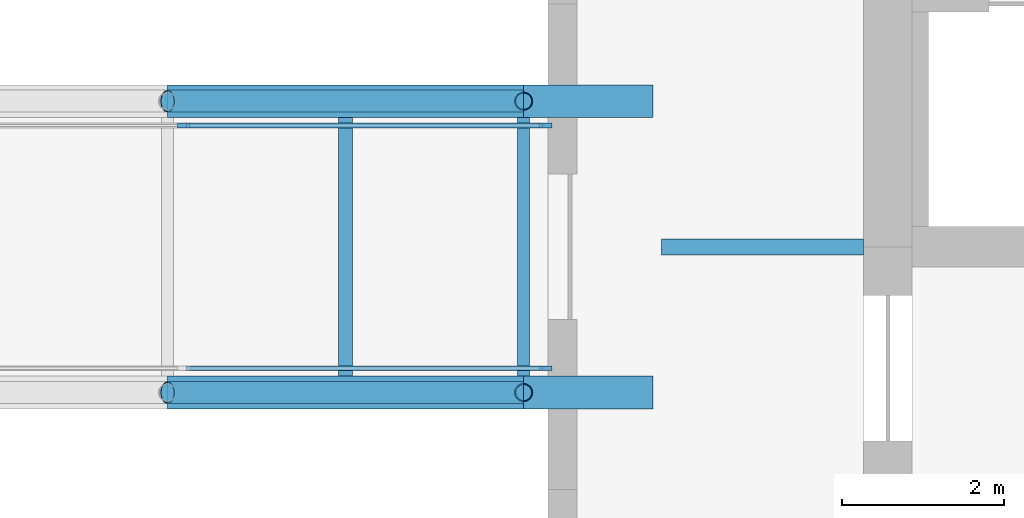
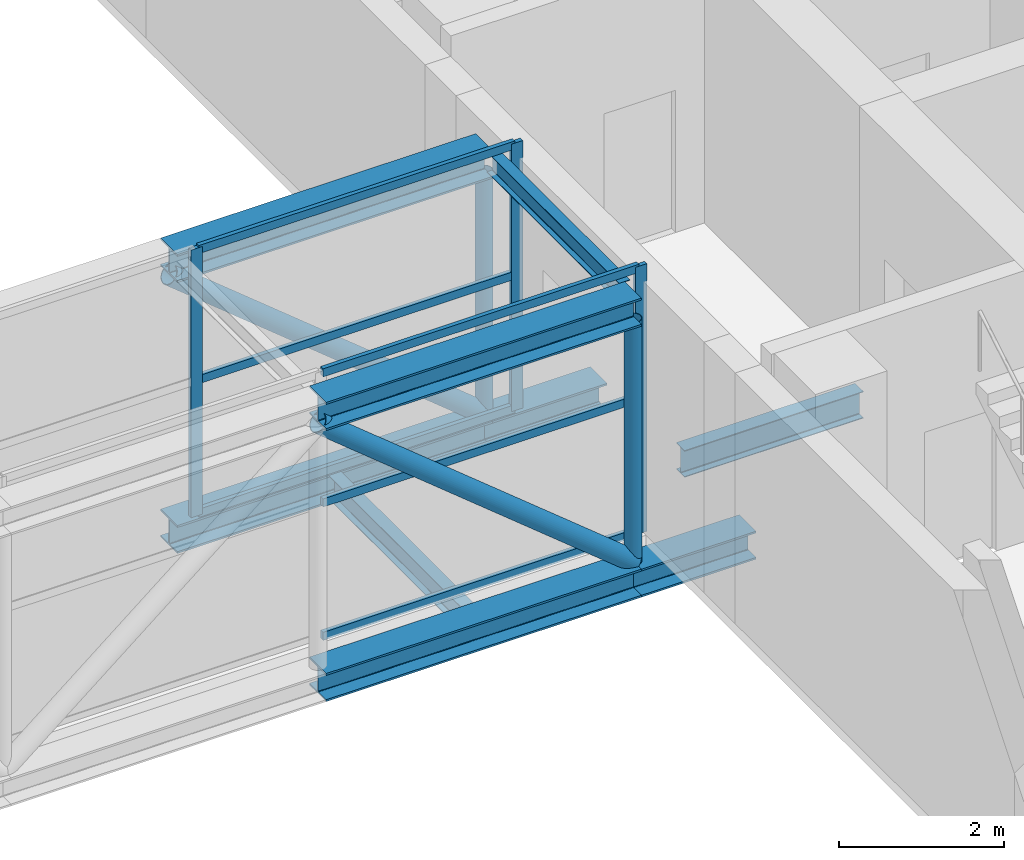
# One storey, part 6 of 21: 19 members, 3 beams, 2 elements without a shape of their own.
"""IFC4 building model written with IfcOpenShell, lengths in metres."""

from ifc_helpers import new_model, si_unit, direction, frame, origin, origin_2d, place, context, subcontext, project, spatial, rectangle, hollow_circle, i_section, extrude, material, material_profile, profile_set, type_object, element, aggregate, save


model = new_model("IFC4")

# Units and contexts
model_context = context("Model", 3, precision=1e-05, world=origin(), true_north=direction((0.0, 1.0)))
body_context = subcontext(model_context, "Body", "Model", "MODEL_VIEW")
ifc_project = project(units=[si_unit("LENGTHUNIT", "METRE"), si_unit("AREAUNIT", "SQUARE_METRE"), si_unit("VOLUMEUNIT", "CUBIC_METRE"), si_unit("PLANEANGLEUNIT", "RADIAN"), si_unit("MASSUNIT", "GRAM", prefix="KILO")], contexts=[model_context])

# Site, building, storey
site_placement = place(None, origin())
site = spatial("IfcSite", under=ifc_project, at=site_placement, CompositionType="ELEMENT")
building_placement = place(site_placement, origin())
building = spatial("IfcBuilding", under=site, at=building_placement, Name="Cinnabar Reach Civic Tower", CompositionType="ELEMENT")
storey_placement = place(building_placement, frame((0.0, 0.0, 140.0)))
storey = spatial("IfcBuildingStorey", under=building, at=storey_placement, Name="L33", CompositionType="ELEMENT", Elevation=140.0)

# Curtain wall, member
ifc_material_1 = material(Name="Aluminium and insulated spandrel panels", Category="aluminium")
curtain_wall_type = type_object("IfcCurtainWallType", Name="Bridge 2 enclosure curtain wall", PredefinedType="NOTDEFINED", material=ifc_material_1)
curtain_wall_1_placement = place(storey_placement, origin())
curtain_wall_1 = element("IfcCurtainWall", 1, at=curtain_wall_1_placement, inside=storey, type_object=curtain_wall_type, Name="Bridge 2 enclosure 3", PredefinedType="NOTDEFINED")
ifc_material_2 = material(Name="Aluminium", Category="aluminium")
ifc_material_profile_1 = material_profile(ifc_material_2, rectangle(XDim=0.06, YDim=0.16, at=origin_2d()), Name="Bridge 2 enclosure mullion")
ifc_profile_set_1 = profile_set([ifc_material_profile_1], Name="Aluminium")
member_type_1 = type_object("IfcMemberType", Name="Bridge 2 enclosure mullion", PredefinedType="MULLION", material=ifc_profile_set_1)
member_1_placement = place(storey_placement, frame((-0.03, 30.0, 0.0), z_axis=(0.0, 0.0, 1.0), x_axis=(0.0, 1.0, 0.0)))
member_1 = element("IfcMember", 2, at=member_1_placement, type_object=member_type_1, Name="CW-BR2-3 mullion 3", PredefinedType="MULLION", context=body_context, shape_type="SweptSolid", body=[
    extrude(rectangle(XDim=0.06, YDim=0.16, at=origin_2d()), origin(), (0.0, 0.0, 1.0), 3.95),
])

# Curtain wall, members
curtain_wall_2_placement = place(storey_placement, origin())
curtain_wall_2 = element("IfcCurtainWall", 3, at=curtain_wall_2_placement, inside=storey, type_object=curtain_wall_type, Name="Bridge 2 enclosure 6", PredefinedType="NOTDEFINED")
member_2_placement = place(storey_placement, frame((-4.5, 33.0, 0.0), z_axis=(0.0, 0.0, 1.0), x_axis=(0.0, 1.0, 0.0)))
member_2 = element("IfcMember", 4, at=member_2_placement, type_object=member_type_1, Name="CW-BR2-6 mullion 2", PredefinedType="MULLION", context=body_context, shape_type="SweptSolid", body=[
    extrude(rectangle(XDim=0.06, YDim=0.16, at=origin_2d()), origin(), (0.0, 0.0, 1.0), 3.95),
])
member_3_placement = place(storey_placement, frame((-0.03, 33.0, 0.0), z_axis=(0.0, 0.0, 1.0), x_axis=(0.0, 1.0, 0.0)))
member_3 = element("IfcMember", 5, at=member_3_placement, type_object=member_type_1, Name="CW-BR2-6 mullion 3", PredefinedType="MULLION", context=body_context, shape_type="SweptSolid", body=[
    extrude(rectangle(XDim=0.06, YDim=0.16, at=origin_2d()), origin(), (0.0, 0.0, 1.0), 3.95),
])

# Member
ifc_material_profile_2 = material_profile(ifc_material_2, rectangle(XDim=0.06, YDim=0.12, at=origin_2d()), Name="Bridge 2 enclosure transom")
ifc_profile_set_2 = profile_set([ifc_material_profile_2], Name="Aluminium")
member_type_2 = type_object("IfcMemberType", Name="Bridge 2 enclosure transom", PredefinedType="USERDEFINED", material=ifc_profile_set_2)
member_4_placement = place(storey_placement, frame((-4.47, 30.0, 0.03), z_axis=(1.0, 0.0, 0.0), x_axis=(0.0, 1.0, 0.0)))
member_4 = element("IfcMember", 6, at=member_4_placement, type_object=member_type_2, Name="CW-BR2-3 transom 2.1", ObjectType="TRANSOM", PredefinedType="USERDEFINED", context=body_context, shape_type="SweptSolid", body=[
    extrude(rectangle(XDim=0.06, YDim=0.12, at=origin_2d()), origin(), (0.0, 0.0, 1.0), 4.41),
])

member_5_placement = place(storey_placement, frame((-4.47, 30.0, 2.0), z_axis=(1.0, 0.0, 0.0), x_axis=(0.0, 1.0, 0.0)))
member_5 = element("IfcMember", 7, at=member_5_placement, type_object=member_type_2, Name="CW-BR2-3 transom 2.2", ObjectType="TRANSOM", PredefinedType="USERDEFINED", context=body_context, shape_type="SweptSolid", body=[
    extrude(rectangle(XDim=0.06, YDim=0.12, at=origin_2d()), origin(), (0.0, 0.0, 1.0), 4.41),
])

member_6_placement = place(storey_placement, frame((-4.47, 30.0, 3.92), z_axis=(1.0, 0.0, 0.0), x_axis=(0.0, 1.0, 0.0)))
member_6 = element("IfcMember", 8, at=member_6_placement, type_object=member_type_2, Name="CW-BR2-3 transom 2.3", ObjectType="TRANSOM", PredefinedType="USERDEFINED", context=body_context, shape_type="SweptSolid", body=[
    extrude(rectangle(XDim=0.06, YDim=0.12, at=origin_2d()), origin(), (0.0, 0.0, 1.0), 4.41),
])

aggregate(curtain_wall_1, [member_1, member_4, member_5, member_6])

member_7_placement = place(storey_placement, frame((-4.47, 33.0, 0.03), z_axis=(1.0, 0.0, 0.0), x_axis=(0.0, 1.0, 0.0)))
member_7 = element("IfcMember", 9, at=member_7_placement, type_object=member_type_2, Name="CW-BR2-6 transom 2.1", ObjectType="TRANSOM", PredefinedType="USERDEFINED", context=body_context, shape_type="SweptSolid", body=[
    extrude(rectangle(XDim=0.06, YDim=0.12, at=origin_2d()), origin(), (0.0, 0.0, 1.0), 4.41),
])

member_8_placement = place(storey_placement, frame((-4.47, 33.0, 2.0), z_axis=(1.0, 0.0, 0.0), x_axis=(0.0, 1.0, 0.0)))
member_8 = element("IfcMember", 10, at=member_8_placement, type_object=member_type_2, Name="CW-BR2-6 transom 2.2", ObjectType="TRANSOM", PredefinedType="USERDEFINED", context=body_context, shape_type="SweptSolid", body=[
    extrude(rectangle(XDim=0.06, YDim=0.12, at=origin_2d()), origin(), (0.0, 0.0, 1.0), 4.41),
])

member_9_placement = place(storey_placement, frame((-4.47, 33.0, 3.92), z_axis=(1.0, 0.0, 0.0), x_axis=(0.0, 1.0, 0.0)))
member_9 = element("IfcMember", 11, at=member_9_placement, type_object=member_type_2, Name="CW-BR2-6 transom 2.3", ObjectType="TRANSOM", PredefinedType="USERDEFINED", context=body_context, shape_type="SweptSolid", body=[
    extrude(rectangle(XDim=0.06, YDim=0.12, at=origin_2d()), origin(), (0.0, 0.0, 1.0), 4.41),
])

aggregate(curtain_wall_2, [member_2, member_3, member_7, member_8, member_9])

# Members
ifc_material_3 = material(Name="Steel Q355B", Category="steel")
ifc_material_profile_3 = material_profile(ifc_material_3, hollow_circle(Radius=0.1095, WallThickness=0.008, at=origin_2d()), Name="CHS219x8")
ifc_profile_set_3 = profile_set([ifc_material_profile_3], Name="Steel Q355B")
member_type_3 = type_object("IfcMemberType", Name="CHS219x8 bridge post", PredefinedType="POST", material=ifc_profile_set_3)
for number, where, z_axis, x_axis, name in (
    (12, (-0.3, 29.7, -0.15), (0.0, 0.0, 1.0), (1.0, 0.0, 0.0), "BR2 truss post"),
    (13, (-0.3, 33.3, -0.15), (0.0, 0.0, 1.0), (1.0, 0.0, 0.0), "BR2 truss post"),
):
    element("IfcMember", number, at=place(storey_placement, frame(where, z_axis=z_axis, x_axis=x_axis)), inside=storey, type_object=member_type_3, Name=name, PredefinedType="POST", context=body_context, shape_type="SweptSolid", body=[
        extrude(hollow_circle(Radius=0.1095, WallThickness=0.008, at=origin_2d()), origin(), (0.0, 0.0, 1.0), 3.586),
    ])
ifc_material_profile_4 = material_profile(ifc_material_3, hollow_circle(Radius=0.1365, WallThickness=0.01, at=origin_2d()), Name="CHS273x10")
ifc_profile_set_4 = profile_set([ifc_material_profile_4], Name="Steel Q355B")
member_type_4 = type_object("IfcMemberType", Name="CHS273x10 bridge brace", PredefinedType="BRACE", material=ifc_profile_set_4)
for number, where, z_axis, x_axis, name in (
    (14, (-4.7, 29.7, 3.436), (0.775164685486, 0.0, -0.631759218671), (0.0, 1.0, 0.0), "BR2 truss diagonal"),
    (15, (-4.7, 33.3, 3.436), (0.775164685486, 0.0, -0.631759218671), (0.0, 1.0, 0.0), "BR2 truss diagonal"),
):
    element("IfcMember", number, at=place(storey_placement, frame(where, z_axis=z_axis, x_axis=x_axis)), inside=storey, type_object=member_type_4, Name=name, PredefinedType="BRACE", context=body_context, shape_type="SweptSolid", body=[
        extrude(hollow_circle(Radius=0.1365, WallThickness=0.01, at=origin_2d()), origin(), (0.0, 0.0, 1.0), 5.6762),
    ])

# Beams
ifc_material_profile_5 = material_profile(ifc_material_3, i_section(OverallWidth=0.15, OverallDepth=0.3, WebThickness=0.0065, FlangeThickness=0.009, FilletRadius=0.013, at=origin_2d()), Name="HN300x150x6.5x9")
ifc_profile_set_5 = profile_set([ifc_material_profile_5], Name="Steel Q355B")
beam_type_1 = type_object("IfcBeamType", Name="HN300x150x6.5x9 beam", PredefinedType="BEAM", material=ifc_profile_set_5)
beam_1_placement = place(storey_placement, frame((-0.3, 29.9025, 3.7), z_axis=(0.0, 1.0, 0.0), x_axis=(-1.0, 0.0, 0.0)))
element("IfcBeam", 16, at=beam_1_placement, inside=storey, type_object=beam_type_1, Name="BR2 top bracing beam", PredefinedType="BEAM", context=body_context, shape_type="SweptSolid", body=[
    extrude(i_section(OverallWidth=0.15, OverallDepth=0.3, WebThickness=0.0065, FlangeThickness=0.009, FilletRadius=0.013, at=origin_2d()), origin(), (0.0, 0.0, 1.0), 3.195),
])
ifc_material_profile_6 = material_profile(ifc_material_3, i_section(OverallWidth=0.174, OverallDepth=0.346, WebThickness=0.006, FlangeThickness=0.009, FilletRadius=0.013, at=origin_2d()), Name="HN346x174x6x9")
ifc_profile_set_6 = profile_set([ifc_material_profile_6], Name="Steel Q355B")
beam_type_2 = type_object("IfcBeamType", Name="HN346x174x6x9 beam", PredefinedType="BEAM", material=ifc_profile_set_6)
beam_2_placement = place(storey_placement, frame((-2.5, 29.9025, -0.323), z_axis=(0.0, 1.0, 0.0), x_axis=(-1.0, 0.0, 0.0)))
element("IfcBeam", 17, at=beam_2_placement, inside=storey, type_object=beam_type_2, Name="BR2 floor beam", PredefinedType="BEAM", context=body_context, shape_type="SweptSolid", body=[
    extrude(i_section(OverallWidth=0.174, OverallDepth=0.346, WebThickness=0.006, FlangeThickness=0.009, FilletRadius=0.013, at=origin_2d()), origin(), (0.0, 0.0, 1.0), 3.195),
])
ifc_material_profile_7 = material_profile(ifc_material_3, i_section(OverallWidth=0.199, OverallDepth=0.396, WebThickness=0.007, FlangeThickness=0.011, FilletRadius=0.013, at=origin_2d()), Name="HN396x199x7x11")
ifc_profile_set_7 = profile_set([ifc_material_profile_7], Name="Steel Q355B")
beam_type_3 = type_object("IfcBeamType", Name="HN396x199x7x11 beam R 180", PredefinedType="BEAM", material=ifc_profile_set_7)
beam_3_placement = place(storey_placement, frame((1.402, 31.5, -0.348), z_axis=(1.0, 0.0, 0.0), x_axis=(0.0, 1.0, 0.0)))
element("IfcBeam", 18, at=beam_3_placement, inside=storey, type_object=beam_type_3, Name="Secondary beam T1 L33 11", PredefinedType="BEAM", context=body_context, shape_type="SweptSolid", body=[
    extrude(i_section(OverallWidth=0.199, OverallDepth=0.396, WebThickness=0.007, FlangeThickness=0.011, FilletRadius=0.013, at=origin_2d()), origin(), (0.0, 0.0, 1.0), 2.496),
])

# Members
ifc_material_profile_8 = material_profile(ifc_material_3, i_section(OverallWidth=0.405, OverallDepth=0.414, WebThickness=0.018, FlangeThickness=0.028, FilletRadius=0.016, at=origin_2d()), Name="HW414x405x18x28")
ifc_profile_set_8 = profile_set([ifc_material_profile_8], Name="Steel Q355B")
member_type_5 = type_object("IfcMemberType", Name="HW414x405x18x28 bridge chord", PredefinedType="CHORD", material=ifc_profile_set_8)
member_10_placement = place(storey_placement, frame((-4.7, 29.7, -0.357), z_axis=(1.0, 0.0, 0.0), x_axis=(0.0, 1.0, 0.0)))
element("IfcMember", 19, at=member_10_placement, inside=storey, type_object=member_type_5, Name="BR2 truss bottom chord", PredefinedType="CHORD", context=body_context, shape_type="SweptSolid", body=[
    extrude(i_section(OverallWidth=0.405, OverallDepth=0.414, WebThickness=0.018, FlangeThickness=0.028, FilletRadius=0.016, at=origin_2d()), origin(), (0.0, 0.0, 1.0), 4.4),
])
member_11_placement = place(storey_placement, frame((-0.3, 29.7, -0.357), z_axis=(1.0, 0.0, 0.0), x_axis=(0.0, 1.0, 0.0)))
element("IfcMember", 20, at=member_11_placement, inside=storey, type_object=member_type_5, Name="BR2 truss bottom chord", PredefinedType="CHORD", context=body_context, shape_type="SweptSolid", body=[
    extrude(i_section(OverallWidth=0.405, OverallDepth=0.414, WebThickness=0.018, FlangeThickness=0.028, FilletRadius=0.016, at=origin_2d()), origin(), (0.0, 0.0, 1.0), 1.6),
])
for number, where, z_axis, x_axis, name in (
    (21, (-4.7, 29.7, 3.643), (1.0, 0.0, 0.0), (0.0, 1.0, 0.0), "BR2 truss top chord"),
    (22, (-4.7, 33.3, -0.357), (1.0, 0.0, 0.0), (0.0, 1.0, 0.0), "BR2 truss bottom chord"),
):
    element("IfcMember", number, at=place(storey_placement, frame(where, z_axis=z_axis, x_axis=x_axis)), inside=storey, type_object=member_type_5, Name=name, PredefinedType="CHORD", context=body_context, shape_type="SweptSolid", body=[
        extrude(i_section(OverallWidth=0.405, OverallDepth=0.414, WebThickness=0.018, FlangeThickness=0.028, FilletRadius=0.016, at=origin_2d()), origin(), (0.0, 0.0, 1.0), 4.4),
    ])
member_12_placement = place(storey_placement, frame((-0.3, 33.3, -0.357), z_axis=(1.0, 0.0, 0.0), x_axis=(0.0, 1.0, 0.0)))
element("IfcMember", 23, at=member_12_placement, inside=storey, type_object=member_type_5, Name="BR2 truss bottom chord", PredefinedType="CHORD", context=body_context, shape_type="SweptSolid", body=[
    extrude(i_section(OverallWidth=0.405, OverallDepth=0.414, WebThickness=0.018, FlangeThickness=0.028, FilletRadius=0.016, at=origin_2d()), origin(), (0.0, 0.0, 1.0), 1.6),
])
member_13_placement = place(storey_placement, frame((-4.7, 33.3, 3.643), z_axis=(1.0, 0.0, 0.0), x_axis=(0.0, 1.0, 0.0)))
element("IfcMember", 24, at=member_13_placement, inside=storey, type_object=member_type_5, Name="BR2 truss top chord", PredefinedType="CHORD", context=body_context, shape_type="SweptSolid", body=[
    extrude(i_section(OverallWidth=0.405, OverallDepth=0.414, WebThickness=0.018, FlangeThickness=0.028, FilletRadius=0.016, at=origin_2d()), origin(), (0.0, 0.0, 1.0), 4.4),
])

save(model, "model.ifc")
